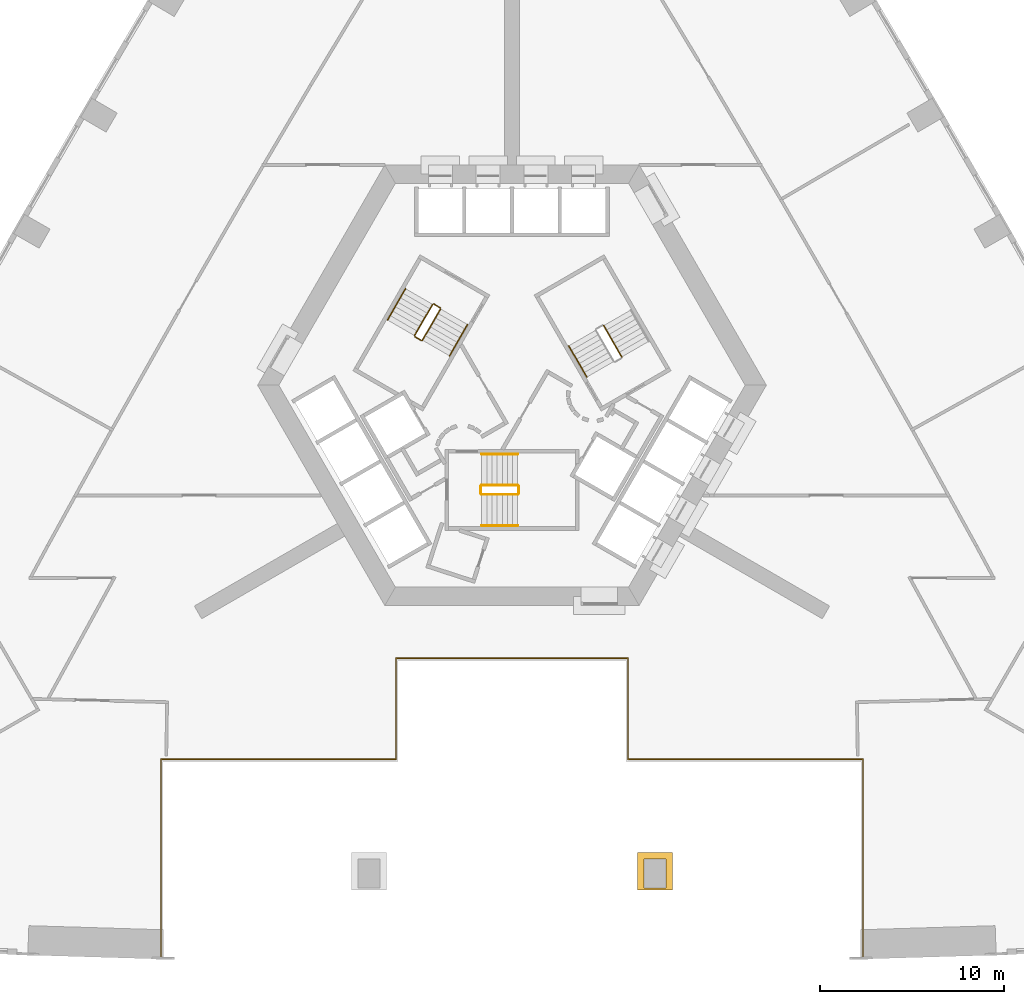
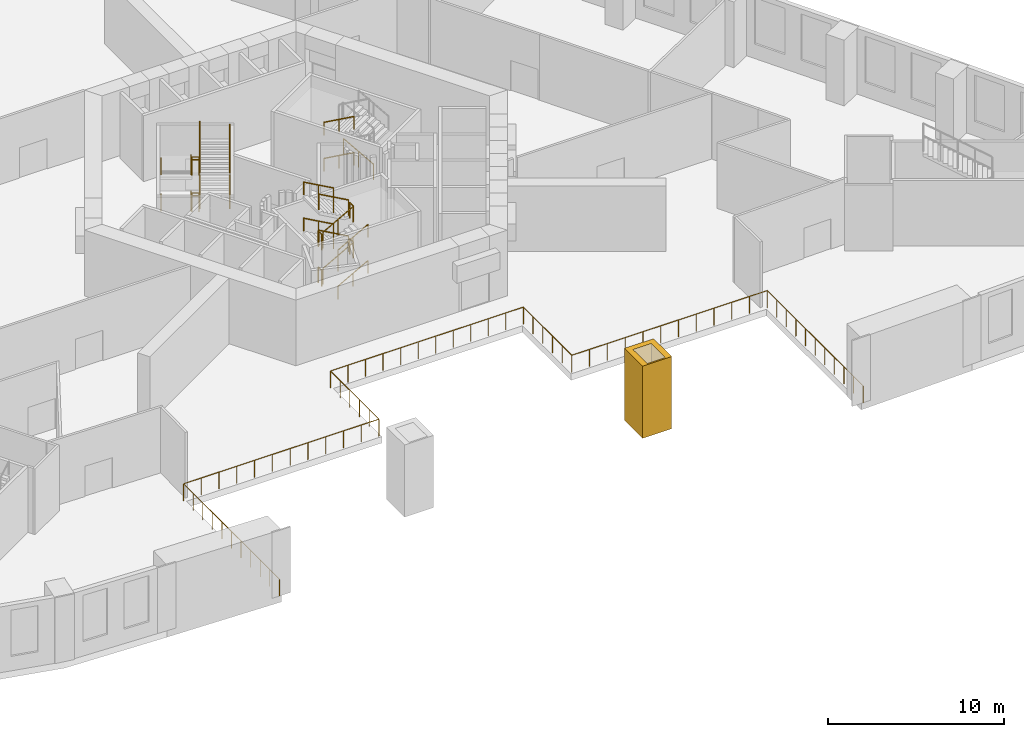
# One storey, part 13 of 16: 28 railings, 1 covering.
"""IFC4 building model written with IfcOpenShell, lengths in metres."""

from ifc_helpers import new_model, si_unit, direction, frame, origin, origin_2d, place, context, subcontext, project, spatial, polyline, circle, outline, extrude, material, type_object, element, save


model = new_model("IFC4")

# Units and contexts
model_context = context("Model", 3, precision=1e-05, world=origin(), true_north=direction((0.0, 1.0)))
body_context = subcontext(model_context, "Body", "Model", "MODEL_VIEW")
ifc_project = project(units=[si_unit("LENGTHUNIT", "METRE"), si_unit("AREAUNIT", "SQUARE_METRE"), si_unit("VOLUMEUNIT", "CUBIC_METRE"), si_unit("PLANEANGLEUNIT", "RADIAN"), si_unit("MASSUNIT", "GRAM", prefix="KILO")], contexts=[model_context])

# Site, building, storey
site_placement = place(None, origin())
site = spatial("IfcSite", under=ifc_project, at=site_placement, CompositionType="ELEMENT")
building_placement = place(site_placement, origin())
building = spatial("IfcBuilding", under=site, at=building_placement, Name="Entoto Arch Interchange Tower", CompositionType="ELEMENT")
storey_placement = place(building_placement, frame((0.0, 0.0, 25.0)))
storey = spatial("IfcBuildingStorey", under=building, at=storey_placement, Name="L04", CompositionType="ELEMENT", Elevation=25.0)

# Railing
ifc_material_1 = material(Name="Stainless steel 1.4301", Category="steel")
railing_type_1 = type_object("IfcRailingType", Name="ATRIUM GUARD 1200 STEEL AND GLASS", PredefinedType="GUARDRAIL", material=ifc_material_1)
railing_1_placement = place(storey_placement, frame((-19.1201171875, -28.758056640625, 0.0)))
element("IfcRailing", 1, at=railing_1_placement, inside=storey, type_object=railing_type_1, Name="Atrium guard L04", PredefinedType="GUARDRAIL", context=body_context, shape_type="SweptSolid", body=[
    extrude(circle(Radius=0.02392578125, at=origin_2d()), frame((0.0, 0.0, 1.17578125), z_axis=(0.0, 1.0, 0.0), x_axis=(-1.0, 0.0, 0.0)), (0.0, 0.0, 1.0), 10.878173828125),
    extrude(circle(Radius=0.02392578125, at=origin_2d()), frame((0.0, 10.878173828125, 1.17578125), z_axis=(1.0, 0.0, 0.0), x_axis=(0.0, 1.0, 0.0)), (0.0, 0.0, 1.0), 12.800048828125),
    extrude(circle(Radius=0.02392578125, at=origin_2d()), frame((12.800048828125, 10.878173828125, 1.17578125), z_axis=(0.0, 1.0, 0.0), x_axis=(-1.0, 0.0, 0.0)), (0.0, 0.0, 1.0), 5.5),
    extrude(circle(Radius=0.02392578125, at=origin_2d()), frame((12.800048828125, 16.378173828125, 1.17578125), z_axis=(1.0, 0.0, 0.0), x_axis=(0.0, 1.0, 0.0)), (0.0, 0.0, 1.0), 12.64013671875),
    extrude(circle(Radius=0.02392578125, at=origin_2d()), frame((25.440185546875, 16.378173828125, 1.17578125), z_axis=(0.0, -1.0, 0.0), x_axis=(1.0, 0.0, 0.0)), (0.0, 0.0, 1.0), 5.5),
    extrude(circle(Radius=0.02392578125, at=origin_2d()), frame((25.440185546875, 10.878173828125, 1.17578125), z_axis=(1.0, 0.0, 0.0), x_axis=(0.0, 1.0, 0.0)), (0.0, 0.0, 1.0), 12.800048828125),
    extrude(circle(Radius=0.02392578125, at=origin_2d()), frame((38.240234375, 10.878173828125, 1.17578125), z_axis=(0.0, -1.0, 0.0), x_axis=(1.0, 0.0, 0.0)), (0.0, 0.0, 1.0), 10.878173828125),
    extrude(circle(Radius=0.02099609375, at=origin_2d()), origin(), (0.0, 0.0, 1.0), 1.15185546875),
    extrude(circle(Radius=0.02099609375, at=origin_2d()), frame((0.0, 1.087890625, 0.0)), (0.0, 0.0, 1.0), 1.15185546875),
    extrude(circle(Radius=0.02099609375, at=origin_2d()), frame((0.0, 2.175537109375, 0.0)), (0.0, 0.0, 1.0), 1.15185546875),
    extrude(circle(Radius=0.02099609375, at=origin_2d()), frame((0.0, 3.263427734375, 0.0)), (0.0, 0.0, 1.0), 1.15185546875),
    extrude(circle(Radius=0.02099609375, at=origin_2d()), frame((0.0, 4.351318359375, 0.0)), (0.0, 0.0, 1.0), 1.15185546875),
    extrude(circle(Radius=0.02099609375, at=origin_2d()), frame((0.0, 5.43896484375, 0.0)), (0.0, 0.0, 1.0), 1.15185546875),
    extrude(circle(Radius=0.02099609375, at=origin_2d()), frame((0.0, 6.52685546875, 0.0)), (0.0, 0.0, 1.0), 1.15185546875),
    extrude(circle(Radius=0.02099609375, at=origin_2d()), frame((0.0, 7.61474609375, 0.0)), (0.0, 0.0, 1.0), 1.15185546875),
    extrude(circle(Radius=0.02099609375, at=origin_2d()), frame((0.0, 8.70263671875, 0.0)), (0.0, 0.0, 1.0), 1.15185546875),
    extrude(circle(Radius=0.02099609375, at=origin_2d()), frame((0.0, 9.790283203125, 0.0)), (0.0, 0.0, 1.0), 1.15185546875),
    extrude(circle(Radius=0.02099609375, at=origin_2d()), frame((0.0, 10.878173828125, 0.0)), (0.0, 0.0, 1.0), 1.15185546875),
    extrude(circle(Radius=0.02099609375, at=origin_2d()), frame((1.16357421875, 10.878173828125, 0.0)), (0.0, 0.0, 1.0), 1.15185546875),
    extrude(circle(Radius=0.02099609375, at=origin_2d()), frame((2.327392578125, 10.878173828125, 0.0)), (0.0, 0.0, 1.0), 1.15185546875),
    extrude(circle(Radius=0.02099609375, at=origin_2d()), frame((3.490966796875, 10.878173828125, 0.0)), (0.0, 0.0, 1.0), 1.15185546875),
    extrude(circle(Radius=0.02099609375, at=origin_2d()), frame((4.654541015625, 10.878173828125, 0.0)), (0.0, 0.0, 1.0), 1.15185546875),
    extrude(circle(Radius=0.02099609375, at=origin_2d()), frame((5.818115234375, 10.878173828125, 0.0)), (0.0, 0.0, 1.0), 1.15185546875),
    extrude(circle(Radius=0.02099609375, at=origin_2d()), frame((6.98193359375, 10.878173828125, 0.0)), (0.0, 0.0, 1.0), 1.15185546875),
    extrude(circle(Radius=0.02099609375, at=origin_2d()), frame((8.1455078125, 10.878173828125, 0.0)), (0.0, 0.0, 1.0), 1.15185546875),
    extrude(circle(Radius=0.02099609375, at=origin_2d()), frame((9.30908203125, 10.878173828125, 0.0)), (0.0, 0.0, 1.0), 1.15185546875),
    extrude(circle(Radius=0.02099609375, at=origin_2d()), frame((10.47265625, 10.878173828125, 0.0)), (0.0, 0.0, 1.0), 1.15185546875),
    extrude(circle(Radius=0.02099609375, at=origin_2d()), frame((11.636474609375, 10.878173828125, 0.0)), (0.0, 0.0, 1.0), 1.15185546875),
    extrude(circle(Radius=0.02099609375, at=origin_2d()), frame((12.800048828125, 10.878173828125, 0.0)), (0.0, 0.0, 1.0), 1.15185546875),
    extrude(circle(Radius=0.02099609375, at=origin_2d()), frame((12.800048828125, 11.978271484375, 0.0)), (0.0, 0.0, 1.0), 1.15185546875),
    extrude(circle(Radius=0.02099609375, at=origin_2d()), frame((12.800048828125, 13.078125, 0.0)), (0.0, 0.0, 1.0), 1.15185546875),
    extrude(circle(Radius=0.02099609375, at=origin_2d()), frame((12.800048828125, 14.17822265625, 0.0)), (0.0, 0.0, 1.0), 1.15185546875),
    extrude(circle(Radius=0.02099609375, at=origin_2d()), frame((12.800048828125, 15.278076171875, 0.0)), (0.0, 0.0, 1.0), 1.15185546875),
    extrude(circle(Radius=0.02099609375, at=origin_2d()), frame((12.800048828125, 16.378173828125, 0.0)), (0.0, 0.0, 1.0), 1.15185546875),
    extrude(circle(Radius=0.02099609375, at=origin_2d()), frame((13.94921875, 16.378173828125, 0.0)), (0.0, 0.0, 1.0), 1.15185546875),
    extrude(circle(Radius=0.02099609375, at=origin_2d()), frame((15.09814453125, 16.378173828125, 0.0)), (0.0, 0.0, 1.0), 1.15185546875),
    extrude(circle(Radius=0.02099609375, at=origin_2d()), frame((16.247314453125, 16.378173828125, 0.0)), (0.0, 0.0, 1.0), 1.15185546875),
    extrude(circle(Radius=0.02099609375, at=origin_2d()), frame((17.396484375, 16.378173828125, 0.0)), (0.0, 0.0, 1.0), 1.15185546875),
    extrude(circle(Radius=0.02099609375, at=origin_2d()), frame((18.545654296875, 16.378173828125, 0.0)), (0.0, 0.0, 1.0), 1.15185546875),
    extrude(circle(Radius=0.02099609375, at=origin_2d()), frame((19.694580078125, 16.378173828125, 0.0)), (0.0, 0.0, 1.0), 1.15185546875),
    extrude(circle(Radius=0.02099609375, at=origin_2d()), frame((20.84375, 16.378173828125, 0.0)), (0.0, 0.0, 1.0), 1.15185546875),
    extrude(circle(Radius=0.02099609375, at=origin_2d()), frame((21.992919921875, 16.378173828125, 0.0)), (0.0, 0.0, 1.0), 1.15185546875),
    extrude(circle(Radius=0.02099609375, at=origin_2d()), frame((23.14208984375, 16.378173828125, 0.0)), (0.0, 0.0, 1.0), 1.15185546875),
    extrude(circle(Radius=0.02099609375, at=origin_2d()), frame((24.291015625, 16.378173828125, 0.0)), (0.0, 0.0, 1.0), 1.15185546875),
    extrude(circle(Radius=0.02099609375, at=origin_2d()), frame((25.440185546875, 16.378173828125, 0.0)), (0.0, 0.0, 1.0), 1.15185546875),
    extrude(circle(Radius=0.02099609375, at=origin_2d()), frame((25.440185546875, 15.278076171875, 0.0)), (0.0, 0.0, 1.0), 1.15185546875),
    extrude(circle(Radius=0.02099609375, at=origin_2d()), frame((25.440185546875, 14.17822265625, 0.0)), (0.0, 0.0, 1.0), 1.15185546875),
    extrude(circle(Radius=0.02099609375, at=origin_2d()), frame((25.440185546875, 13.078125, 0.0)), (0.0, 0.0, 1.0), 1.15185546875),
    extrude(circle(Radius=0.02099609375, at=origin_2d()), frame((25.440185546875, 11.978271484375, 0.0)), (0.0, 0.0, 1.0), 1.15185546875),
    extrude(circle(Radius=0.02099609375, at=origin_2d()), frame((25.440185546875, 10.878173828125, 0.0)), (0.0, 0.0, 1.0), 1.15185546875),
    extrude(circle(Radius=0.02099609375, at=origin_2d()), frame((26.603759765625, 10.878173828125, 0.0)), (0.0, 0.0, 1.0), 1.15185546875),
    extrude(circle(Radius=0.02099609375, at=origin_2d()), frame((27.767578125, 10.878173828125, 0.0)), (0.0, 0.0, 1.0), 1.15185546875),
    extrude(circle(Radius=0.02099609375, at=origin_2d()), frame((28.93115234375, 10.878173828125, 0.0)), (0.0, 0.0, 1.0), 1.15185546875),
    extrude(circle(Radius=0.02099609375, at=origin_2d()), frame((30.0947265625, 10.878173828125, 0.0)), (0.0, 0.0, 1.0), 1.15185546875),
    extrude(circle(Radius=0.02099609375, at=origin_2d()), frame((31.25830078125, 10.878173828125, 0.0)), (0.0, 0.0, 1.0), 1.15185546875),
    extrude(circle(Radius=0.02099609375, at=origin_2d()), frame((32.422119140625, 10.878173828125, 0.0)), (0.0, 0.0, 1.0), 1.15185546875),
    extrude(circle(Radius=0.02099609375, at=origin_2d()), frame((33.585693359375, 10.878173828125, 0.0)), (0.0, 0.0, 1.0), 1.15185546875),
    extrude(circle(Radius=0.02099609375, at=origin_2d()), frame((34.749267578125, 10.878173828125, 0.0)), (0.0, 0.0, 1.0), 1.15185546875),
    extrude(circle(Radius=0.02099609375, at=origin_2d()), frame((35.912841796875, 10.878173828125, 0.0)), (0.0, 0.0, 1.0), 1.15185546875),
    extrude(circle(Radius=0.02099609375, at=origin_2d()), frame((37.07666015625, 10.878173828125, 0.0)), (0.0, 0.0, 1.0), 1.15185546875),
    extrude(circle(Radius=0.02099609375, at=origin_2d()), frame((38.240234375, 10.878173828125, 0.0)), (0.0, 0.0, 1.0), 1.15185546875),
    extrude(circle(Radius=0.02099609375, at=origin_2d()), frame((38.240234375, 9.790283203125, 0.0)), (0.0, 0.0, 1.0), 1.15185546875),
    extrude(circle(Radius=0.02099609375, at=origin_2d()), frame((38.240234375, 8.70263671875, 0.0)), (0.0, 0.0, 1.0), 1.15185546875),
    extrude(circle(Radius=0.02099609375, at=origin_2d()), frame((38.240234375, 7.61474609375, 0.0)), (0.0, 0.0, 1.0), 1.15185546875),
    extrude(circle(Radius=0.02099609375, at=origin_2d()), frame((38.240234375, 6.52685546875, 0.0)), (0.0, 0.0, 1.0), 1.15185546875),
    extrude(circle(Radius=0.02099609375, at=origin_2d()), frame((38.240234375, 5.43896484375, 0.0)), (0.0, 0.0, 1.0), 1.15185546875),
    extrude(circle(Radius=0.02099609375, at=origin_2d()), frame((38.240234375, 4.351318359375, 0.0)), (0.0, 0.0, 1.0), 1.15185546875),
    extrude(circle(Radius=0.02099609375, at=origin_2d()), frame((38.240234375, 3.263427734375, 0.0)), (0.0, 0.0, 1.0), 1.15185546875),
    extrude(circle(Radius=0.02099609375, at=origin_2d()), frame((38.240234375, 2.175537109375, 0.0)), (0.0, 0.0, 1.0), 1.15185546875),
    extrude(circle(Radius=0.02099609375, at=origin_2d()), frame((38.240234375, 1.087890625, 0.0)), (0.0, 0.0, 1.0), 1.15185546875),
    extrude(circle(Radius=0.02099609375, at=origin_2d()), frame((38.240234375, 0.0, 0.0)), (0.0, 0.0, 1.0), 1.15185546875),
])

# Covering
ifc_material_2 = material(Name="Board-marked precast concrete C50/60", Category="concrete")
covering_type = type_object("IfcCoveringType", Name="PRECAST FRAME COURSE", PredefinedType="CLADDING", material=ifc_material_2)
covering_placement = place(storey_placement, frame((0.0, 0.0, -0.449951171875)))
element("IfcCovering", 2, at=covering_placement, inside=storey, type_object=covering_type, Name="Gate pier L04", PredefinedType="CLADDING", context=body_context, shape_type="SweptSolid", body=[
    extrude(outline(polyline([(6.85009765625, -22.949951171875), (8.75, -22.949951171875), (8.75, -24.9990234375), (6.85009765625, -24.9990234375), (6.85009765625, -22.949951171875)]), holes=[polyline([(7.199951171875, -23.300048828125), (7.199951171875, -24.89990234375), (8.39990234375, -24.89990234375), (8.39990234375, -23.300048828125), (7.199951171875, -23.300048828125)])]), origin(), (0.0, 0.0, 1.0), 5.0),
])

# Railings
railing_type_2 = type_object("IfcRailingType", Name="STAIR GUARD 1100 STEEL", PredefinedType="GUARDRAIL", material=ifc_material_1)
railing_2_placement = place(storey_placement, frame((-1.64990234375, -3.449951171875, 0.15625)))
element("IfcRailing", 3, at=railing_2_placement, inside=storey, type_object=railing_type_2, Name="L04 ST-S stair guard 1", PredefinedType="GUARDRAIL", context=body_context, shape_type="SweptSolid", body=[
    extrude(circle(Radius=0.02392578125, at=origin_2d()), frame((0.0, 0.0, 1.076171875), z_axis=(0.873232148454, 0.0, 0.487304437602), x_axis=(0.0, 1.0, 0.0)), (0.0, 0.0, 1.0), 2.244384765625),
    extrude(circle(Radius=0.02099609375, at=origin_2d()), origin(), (0.0, 0.0, 1.0), 1.052001953125),
    extrude(circle(Radius=0.02099609375, at=origin_2d()), frame((0.97998046875, 0.0, 0.546875)), (0.0, 0.0, 1.0), 1.052001953125),
    extrude(circle(Radius=0.02099609375, at=origin_2d()), frame((1.9599609375, 0.0, 1.09375)), (0.0, 0.0, 1.0), 1.052001953125),
])
railing_3_placement = place(storey_placement, frame((0.360107421875, -3.39990234375, 1.25)))
element("IfcRailing", 4, at=railing_3_placement, inside=storey, type_object=railing_type_2, Name="L04 ST-S stair guard 2", PredefinedType="GUARDRAIL", context=body_context, shape_type="SweptSolid", body=[
    extrude(circle(Radius=0.02392578125, at=origin_2d()), frame((0.0, 0.0, 1.076171875), z_axis=(0.0, 1.0, 0.0), x_axis=(-1.0, 0.0, 0.0)), (0.0, 0.0, 1.0), 0.39990234375),
    extrude(circle(Radius=0.02099609375, at=origin_2d()), origin(), (0.0, 0.0, 1.0), 1.052001953125),
    extrude(circle(Radius=0.02099609375, at=origin_2d()), frame((0.0, 0.39990234375, 0.0)), (0.0, 0.0, 1.0), 1.052001953125),
])
railing_4_placement = place(storey_placement, frame((0.31005859375, -2.949951171875, 1.40625)))
element("IfcRailing", 5, at=railing_4_placement, inside=storey, type_object=railing_type_2, Name="L04 ST-S stair guard 3", PredefinedType="GUARDRAIL", context=body_context, shape_type="SweptSolid", body=[
    extrude(circle(Radius=0.02392578125, at=origin_2d()), frame((0.0, 0.0, 1.076171875), z_axis=(-0.873232148454, 0.0, 0.487304437602), x_axis=(0.0, -1.0, 0.0)), (0.0, 0.0, 1.0), 2.244384765625),
    extrude(circle(Radius=0.02099609375, at=origin_2d()), origin(), (0.0, 0.0, 1.0), 1.052001953125),
    extrude(circle(Radius=0.02099609375, at=origin_2d()), frame((-0.97998046875, 0.0, 0.546875)), (0.0, 0.0, 1.0), 1.052001953125),
    extrude(circle(Radius=0.02099609375, at=origin_2d()), frame((-1.9599609375, 0.0, 1.09375)), (0.0, 0.0, 1.0), 1.052001953125),
])
railing_5_placement = place(storey_placement, frame((-1.699951171875, -3.39990234375, 2.5)))
element("IfcRailing", 6, at=railing_5_placement, inside=storey, type_object=railing_type_2, Name="L04 ST-S stair guard 4", PredefinedType="GUARDRAIL", context=body_context, shape_type="SweptSolid", body=[
    extrude(circle(Radius=0.02392578125, at=origin_2d()), frame((0.0, 0.0, 1.076171875), z_axis=(0.0, 1.0, 0.0), x_axis=(-1.0, 0.0, 0.0)), (0.0, 0.0, 1.0), 0.39990234375),
    extrude(circle(Radius=0.02099609375, at=origin_2d()), origin(), (0.0, 0.0, 1.0), 1.052001953125),
    extrude(circle(Radius=0.02099609375, at=origin_2d()), frame((0.0, 0.39990234375, 0.0)), (0.0, 0.0, 1.0), 1.052001953125),
])
railing_6_placement = place(storey_placement, frame((-1.64990234375, -3.449951171875, 2.65625)))
element("IfcRailing", 7, at=railing_6_placement, inside=storey, type_object=railing_type_2, Name="L04 ST-S stair guard 5", PredefinedType="GUARDRAIL", context=body_context, shape_type="SweptSolid", body=[
    extrude(circle(Radius=0.02392578125, at=origin_2d()), frame((0.0, 0.0, 1.076171875), z_axis=(0.873232148454, 0.0, 0.487304437602), x_axis=(0.0, 1.0, 0.0)), (0.0, 0.0, 1.0), 2.244384765625),
    extrude(circle(Radius=0.02099609375, at=origin_2d()), origin(), (0.0, 0.0, 1.0), 1.052001953125),
    extrude(circle(Radius=0.02099609375, at=origin_2d()), frame((0.97998046875, 0.0, 0.546875)), (0.0, 0.0, 1.0), 1.052001953125),
    extrude(circle(Radius=0.02099609375, at=origin_2d()), frame((1.9599609375, 0.0, 1.09375)), (0.0, 0.0, 1.0), 1.052001953125),
])
railing_7_placement = place(storey_placement, frame((0.360107421875, -3.39990234375, 3.75)))
element("IfcRailing", 8, at=railing_7_placement, inside=storey, type_object=railing_type_2, Name="L04 ST-S stair guard 6", PredefinedType="GUARDRAIL", context=body_context, shape_type="SweptSolid", body=[
    extrude(circle(Radius=0.02392578125, at=origin_2d()), frame((0.0, 0.0, 1.076171875), z_axis=(0.0, 1.0, 0.0), x_axis=(-1.0, 0.0, 0.0)), (0.0, 0.0, 1.0), 0.39990234375),
    extrude(circle(Radius=0.02099609375, at=origin_2d()), origin(), (0.0, 0.0, 1.0), 1.052001953125),
    extrude(circle(Radius=0.02099609375, at=origin_2d()), frame((0.0, 0.39990234375, 0.0)), (0.0, 0.0, 1.0), 1.052001953125),
])
railing_8_placement = place(storey_placement, frame((0.31005859375, -2.949951171875, 3.90625)))
element("IfcRailing", 9, at=railing_8_placement, inside=storey, type_object=railing_type_2, Name="L04 ST-S stair guard 7", PredefinedType="GUARDRAIL", context=body_context, shape_type="SweptSolid", body=[
    extrude(circle(Radius=0.02392578125, at=origin_2d()), frame((0.0, 0.0, 1.076171875), z_axis=(-0.873232148454, 0.0, 0.487304437602), x_axis=(0.0, -1.0, 0.0)), (0.0, 0.0, 1.0), 2.244384765625),
    extrude(circle(Radius=0.02099609375, at=origin_2d()), origin(), (0.0, 0.0, 1.0), 1.052001953125),
    extrude(circle(Radius=0.02099609375, at=origin_2d()), frame((-0.97998046875, 0.0, 0.546875)), (0.0, 0.0, 1.0), 1.052001953125),
    extrude(circle(Radius=0.02099609375, at=origin_2d()), frame((-1.9599609375, 0.0, 1.09375)), (0.0, 0.0, 1.0), 1.052001953125),
])
railing_9_placement = place(storey_placement, frame((-1.699951171875, -3.39990234375, 0.0)))
element("IfcRailing", 10, at=railing_9_placement, inside=storey, type_object=railing_type_2, Name="L04 ST-S stair guard 8", PredefinedType="GUARDRAIL", context=body_context, shape_type="SweptSolid", body=[
    extrude(circle(Radius=0.02392578125, at=origin_2d()), frame((0.0, 0.0, 1.076171875), z_axis=(0.0, 1.0, 0.0), x_axis=(-1.0, 0.0, 0.0)), (0.0, 0.0, 1.0), 0.39990234375),
    extrude(circle(Radius=0.02099609375, at=origin_2d()), origin(), (0.0, 0.0, 1.0), 1.052001953125),
    extrude(circle(Radius=0.02099609375, at=origin_2d()), frame((0.0, 0.39990234375, 0.0)), (0.0, 0.0, 1.0), 1.052001953125),
])
railing_10_placement = place(storey_placement, frame((5.977783203125, 4.046142578125, 0.15625)))
element("IfcRailing", 11, at=railing_10_placement, inside=storey, type_object=railing_type_2, Name="L04 ST-NE stair guard 1", PredefinedType="GUARDRAIL", context=body_context, shape_type="SweptSolid", body=[
    extrude(circle(Radius=0.02392578125, at=origin_2d()), frame((0.0, 0.0, 1.076171875), z_axis=(-0.436632306331, 0.756220177781, 0.487322554151), x_axis=(-0.866011328839, -0.500024377727, 0.0)), (0.0, 0.0, 1.0), 2.244384765625),
    extrude(circle(Radius=0.02099609375, at=origin_2d()), origin(), (0.0, 0.0, 1.0), 1.052001953125),
    extrude(circle(Radius=0.02099609375, at=origin_2d()), frame((-0.489990234375, 0.8486328125, 0.546875)), (0.0, 0.0, 1.0), 1.052001953125),
    extrude(circle(Radius=0.02099609375, at=origin_2d()), frame((-0.97998046875, 1.697265625, 1.09375)), (0.0, 0.0, 1.0), 1.052001953125),
])
railing_11_placement = place(storey_placement, frame((-4.327880859375, 6.904052734375, 0.15625)))
element("IfcRailing", 12, at=railing_11_placement, inside=storey, type_object=railing_type_2, Name="L04 ST-NW stair guard 1", PredefinedType="GUARDRAIL", context=body_context, shape_type="SweptSolid", body=[
    extrude(circle(Radius=0.02392578125, at=origin_2d()), frame((0.0, 0.0, 1.076171875), z_axis=(-0.436596390967, -0.756266742998, 0.487282469241), x_axis=(0.866042469362, -0.499970440388, 0.0)), (0.0, 0.0, 1.0), 2.24462890625),
    extrude(circle(Radius=0.02099609375, at=origin_2d()), origin(), (0.0, 0.0, 1.0), 1.052001953125),
    extrude(circle(Radius=0.02099609375, at=origin_2d()), frame((-0.489990234375, -0.8486328125, 0.546875)), (0.0, 0.0, 1.0), 1.052001953125),
    extrude(circle(Radius=0.02099609375, at=origin_2d()), frame((-0.97998046875, -1.697509765625, 1.09375)), (0.0, 0.0, 1.0), 1.052001953125),
])
railing_12_placement = place(storey_placement, frame((-5.28955078125, 5.13818359375, 1.25)))
element("IfcRailing", 13, at=railing_12_placement, inside=storey, type_object=railing_type_2, Name="L04 ST-NW stair guard 2", PredefinedType="GUARDRAIL", context=body_context, shape_type="SweptSolid", body=[
    extrude(circle(Radius=0.02392578125, at=origin_2d()), frame((0.0, 0.0, 1.076171875), z_axis=(0.866094119867, -0.499880961361, 0.0), x_axis=(0.499880961361, 0.866094119867, 0.0)), (0.0, 0.0, 1.0), 0.39990234375),
    extrude(circle(Radius=0.02099609375, at=origin_2d()), origin(), (0.0, 0.0, 1.0), 1.052001953125),
    extrude(circle(Radius=0.02099609375, at=origin_2d()), frame((0.346435546875, -0.199951171875, 0.0)), (0.0, 0.0, 1.0), 1.052001953125),
])
railing_13_placement = place(storey_placement, frame((-4.874755859375, 4.95654296875, 1.40625)))
element("IfcRailing", 14, at=railing_13_placement, inside=storey, type_object=railing_type_2, Name="L04 ST-NW stair guard 3", PredefinedType="GUARDRAIL", context=body_context, shape_type="SweptSolid", body=[
    extrude(circle(Radius=0.02392578125, at=origin_2d()), frame((0.0, 0.0, 1.076171875), z_axis=(0.436596390967, 0.756266742998, 0.487282469241), x_axis=(-0.866042469362, 0.499970440388, 0.0)), (0.0, 0.0, 1.0), 2.24462890625),
    extrude(circle(Radius=0.02099609375, at=origin_2d()), origin(), (0.0, 0.0, 1.0), 1.052001953125),
    extrude(circle(Radius=0.02099609375, at=origin_2d()), frame((0.489990234375, 0.8486328125, 0.546875)), (0.0, 0.0, 1.0), 1.052001953125),
    extrude(circle(Radius=0.02099609375, at=origin_2d()), frame((0.97998046875, 1.697509765625, 1.09375)), (0.0, 0.0, 1.0), 1.052001953125),
])
railing_14_placement = place(storey_placement, frame((-4.259521484375, 6.92236328125, 2.5)))
element("IfcRailing", 15, at=railing_14_placement, inside=storey, type_object=railing_type_2, Name="L04 ST-NW stair guard 4", PredefinedType="GUARDRAIL", context=body_context, shape_type="SweptSolid", body=[
    extrude(circle(Radius=0.02392578125, at=origin_2d()), frame((0.0, 0.0, 1.076171875), z_axis=(0.865829829939, -0.500338590944, 0.0), x_axis=(0.500338590944, 0.865829829939, 0.0)), (0.0, 0.0, 1.0), 0.400146484375),
    extrude(circle(Radius=0.02099609375, at=origin_2d()), origin(), (0.0, 0.0, 1.0), 1.052001953125),
    extrude(circle(Radius=0.02099609375, at=origin_2d()), frame((0.346435546875, -0.2001953125, 0.0)), (0.0, 0.0, 1.0), 1.052001953125),
])
railing_15_placement = place(storey_placement, frame((-4.327880859375, 6.904052734375, 2.65625)))
element("IfcRailing", 16, at=railing_15_placement, inside=storey, type_object=railing_type_2, Name="L04 ST-NW stair guard 5", PredefinedType="GUARDRAIL", context=body_context, shape_type="SweptSolid", body=[
    extrude(circle(Radius=0.02392578125, at=origin_2d()), frame((0.0, 0.0, 1.076171875), z_axis=(-0.436596390967, -0.756266742998, 0.487282469241), x_axis=(0.866042469362, -0.499970440388, 0.0)), (0.0, 0.0, 1.0), 2.24462890625),
    extrude(circle(Radius=0.02099609375, at=origin_2d()), origin(), (0.0, 0.0, 1.0), 1.052001953125),
    extrude(circle(Radius=0.02099609375, at=origin_2d()), frame((-0.489990234375, -0.8486328125, 0.546875)), (0.0, 0.0, 1.0), 1.052001953125),
    extrude(circle(Radius=0.02099609375, at=origin_2d()), frame((-0.97998046875, -1.697509765625, 1.09375)), (0.0, 0.0, 1.0), 1.052001953125),
])
railing_16_placement = place(storey_placement, frame((-5.28955078125, 5.13818359375, 3.75)))
element("IfcRailing", 17, at=railing_16_placement, inside=storey, type_object=railing_type_2, Name="L04 ST-NW stair guard 6", PredefinedType="GUARDRAIL", context=body_context, shape_type="SweptSolid", body=[
    extrude(circle(Radius=0.02392578125, at=origin_2d()), frame((0.0, 0.0, 1.076171875), z_axis=(0.866094119867, -0.499880961361, 0.0), x_axis=(0.499880961361, 0.866094119867, 0.0)), (0.0, 0.0, 1.0), 0.39990234375),
    extrude(circle(Radius=0.02099609375, at=origin_2d()), origin(), (0.0, 0.0, 1.0), 1.052001953125),
    extrude(circle(Radius=0.02099609375, at=origin_2d()), frame((0.346435546875, -0.199951171875, 0.0)), (0.0, 0.0, 1.0), 1.052001953125),
])
railing_17_placement = place(storey_placement, frame((-4.874755859375, 4.95654296875, 3.90625)))
element("IfcRailing", 18, at=railing_17_placement, inside=storey, type_object=railing_type_2, Name="L04 ST-NW stair guard 7", PredefinedType="GUARDRAIL", context=body_context, shape_type="SweptSolid", body=[
    extrude(circle(Radius=0.02392578125, at=origin_2d()), frame((0.0, 0.0, 1.076171875), z_axis=(0.436596390967, 0.756266742998, 0.487282469241), x_axis=(-0.866042469362, 0.499970440388, 0.0)), (0.0, 0.0, 1.0), 2.24462890625),
    extrude(circle(Radius=0.02099609375, at=origin_2d()), origin(), (0.0, 0.0, 1.0), 1.052001953125),
    extrude(circle(Radius=0.02099609375, at=origin_2d()), frame((0.489990234375, 0.8486328125, 0.546875)), (0.0, 0.0, 1.0), 1.052001953125),
    extrude(circle(Radius=0.02099609375, at=origin_2d()), frame((0.97998046875, 1.697509765625, 1.09375)), (0.0, 0.0, 1.0), 1.052001953125),
])
railing_18_placement = place(storey_placement, frame((-4.259521484375, 6.92236328125, 0.0)))
element("IfcRailing", 19, at=railing_18_placement, inside=storey, type_object=railing_type_2, Name="L04 ST-NW stair guard 8", PredefinedType="GUARDRAIL", context=body_context, shape_type="SweptSolid", body=[
    extrude(circle(Radius=0.02392578125, at=origin_2d()), frame((0.0, 0.0, 1.076171875), z_axis=(0.865829829939, -0.500338590944, 0.0), x_axis=(0.500338590944, 0.865829829939, 0.0)), (0.0, 0.0, 1.0), 0.400146484375),
    extrude(circle(Radius=0.02099609375, at=origin_2d()), origin(), (0.0, 0.0, 1.0), 1.052001953125),
    extrude(circle(Radius=0.02099609375, at=origin_2d()), frame((0.346435546875, -0.2001953125, 0.0)), (0.0, 0.0, 1.0), 1.052001953125),
])
railing_type_3 = type_object("IfcRailingType", Name="STAIR HANDRAIL 900 STEEL", PredefinedType="HANDRAIL", material=ifc_material_1)
railing_19_placement = place(storey_placement, frame((-1.64990234375, -5.14990234375, 0.15625)))
element("IfcRailing", 20, at=railing_19_placement, inside=storey, type_object=railing_type_3, Name="L04 ST-S stair handrail 1", PredefinedType="HANDRAIL", context=body_context, shape_type="SweptSolid", body=[
    extrude(circle(Radius=0.02392578125, at=origin_2d()), frame((0.0, 0.0, 0.8759765625), z_axis=(0.873232148454, 0.0, 0.487304437602), x_axis=(0.0, 1.0, 0.0)), (0.0, 0.0, 1.0), 2.244384765625),
    extrude(circle(Radius=0.02099609375, at=origin_2d()), origin(), (0.0, 0.0, 1.0), 0.851806640625),
    extrude(circle(Radius=0.02099609375, at=origin_2d()), frame((0.97998046875, 0.0, 0.546875)), (0.0, 0.0, 1.0), 0.851806640625),
    extrude(circle(Radius=0.02099609375, at=origin_2d()), frame((1.9599609375, 0.0, 1.09375)), (0.0, 0.0, 1.0), 0.851806640625),
])
railing_20_placement = place(storey_placement, frame((0.31005859375, -1.25, 1.40625)))
element("IfcRailing", 21, at=railing_20_placement, inside=storey, type_object=railing_type_3, Name="L04 ST-S stair handrail 2", PredefinedType="HANDRAIL", context=body_context, shape_type="SweptSolid", body=[
    extrude(circle(Radius=0.02392578125, at=origin_2d()), frame((0.0, 0.0, 0.8759765625), z_axis=(-0.873232148454, 0.0, 0.487304437602), x_axis=(0.0, -1.0, 0.0)), (0.0, 0.0, 1.0), 2.244384765625),
    extrude(circle(Radius=0.02099609375, at=origin_2d()), origin(), (0.0, 0.0, 1.0), 0.851806640625),
    extrude(circle(Radius=0.02099609375, at=origin_2d()), frame((-0.97998046875, 0.0, 0.546875)), (0.0, 0.0, 1.0), 0.851806640625),
    extrude(circle(Radius=0.02099609375, at=origin_2d()), frame((-1.9599609375, 0.0, 1.09375)), (0.0, 0.0, 1.0), 0.851806640625),
])
railing_21_placement = place(storey_placement, frame((-1.64990234375, -5.14990234375, 2.65625)))
element("IfcRailing", 22, at=railing_21_placement, inside=storey, type_object=railing_type_3, Name="L04 ST-S stair handrail 3", PredefinedType="HANDRAIL", context=body_context, shape_type="SweptSolid", body=[
    extrude(circle(Radius=0.02392578125, at=origin_2d()), frame((0.0, 0.0, 0.8759765625), z_axis=(0.873232148454, 0.0, 0.487304437602), x_axis=(0.0, 1.0, 0.0)), (0.0, 0.0, 1.0), 2.244384765625),
    extrude(circle(Radius=0.02099609375, at=origin_2d()), origin(), (0.0, 0.0, 1.0), 0.851806640625),
    extrude(circle(Radius=0.02099609375, at=origin_2d()), frame((0.97998046875, 0.0, 0.546875)), (0.0, 0.0, 1.0), 0.851806640625),
    extrude(circle(Radius=0.02099609375, at=origin_2d()), frame((1.9599609375, 0.0, 1.09375)), (0.0, 0.0, 1.0), 0.851806640625),
])
railing_22_placement = place(storey_placement, frame((0.31005859375, -1.25, 3.90625)))
element("IfcRailing", 23, at=railing_22_placement, inside=storey, type_object=railing_type_3, Name="L04 ST-S stair handrail 4", PredefinedType="HANDRAIL", context=body_context, shape_type="SweptSolid", body=[
    extrude(circle(Radius=0.02392578125, at=origin_2d()), frame((0.0, 0.0, 0.8759765625), z_axis=(-0.873232148454, 0.0, 0.487304437602), x_axis=(0.0, -1.0, 0.0)), (0.0, 0.0, 1.0), 2.244384765625),
    extrude(circle(Radius=0.02099609375, at=origin_2d()), origin(), (0.0, 0.0, 1.0), 0.851806640625),
    extrude(circle(Radius=0.02099609375, at=origin_2d()), frame((-0.97998046875, 0.0, 0.546875)), (0.0, 0.0, 1.0), 0.851806640625),
    extrude(circle(Radius=0.02099609375, at=origin_2d()), frame((-1.9599609375, 0.0, 1.09375)), (0.0, 0.0, 1.0), 0.851806640625),
])
for number, where, name in (
    (24, (3.092529296875, 4.6435546875, 1.40625), "L04 ST-NE stair handrail 2"),
    (25, (3.092529296875, 4.6435546875, 3.90625), "L04 ST-NE stair handrail 4"),
):
    element("IfcRailing", number, at=place(storey_placement, frame(where)), inside=storey, type_object=railing_type_3, Name=name, PredefinedType="HANDRAIL", context=body_context, shape_type="SweptSolid", body=[
        extrude(circle(Radius=0.02392578125, at=origin_2d()), frame((0.0, 0.0, 0.8759765625), z_axis=(0.436596390967, -0.756266742998, 0.487282469241), x_axis=(0.866042469362, 0.499970440388, 0.0)), (0.0, 0.0, 1.0), 2.24462890625),
        extrude(circle(Radius=0.02099609375, at=origin_2d()), origin(), (0.0, 0.0, 1.0), 0.851806640625),
        extrude(circle(Radius=0.02099609375, at=origin_2d()), frame((0.489990234375, -0.8486328125, 0.546875)), (0.0, 0.0, 1.0), 0.851806640625),
        extrude(circle(Radius=0.02099609375, at=origin_2d()), frame((0.97998046875, -1.697509765625, 1.09375)), (0.0, 0.0, 1.0), 0.851806640625),
    ])
railing_23_placement = place(storey_placement, frame((-5.800048828125, 7.75390625, 0.15625)))
element("IfcRailing", 26, at=railing_23_placement, inside=storey, type_object=railing_type_3, Name="L04 ST-NW stair handrail 1", PredefinedType="HANDRAIL", context=body_context, shape_type="SweptSolid", body=[
    extrude(circle(Radius=0.02392578125, at=origin_2d()), frame((0.0, 0.0, 0.8759765625), z_axis=(-0.436632306331, -0.756220177781, 0.487322554151), x_axis=(0.866011328839, -0.500024377727, 0.0)), (0.0, 0.0, 1.0), 2.244384765625),
    extrude(circle(Radius=0.02099609375, at=origin_2d()), origin(), (0.0, 0.0, 1.0), 0.851806640625),
    extrude(circle(Radius=0.02099609375, at=origin_2d()), frame((-0.489990234375, -0.8486328125, 0.546875)), (0.0, 0.0, 1.0), 0.851806640625),
    extrude(circle(Radius=0.02099609375, at=origin_2d()), frame((-0.97998046875, -1.697265625, 1.09375)), (0.0, 0.0, 1.0), 0.851806640625),
])
railing_24_placement = place(storey_placement, frame((-3.402587890625, 4.1064453125, 1.40625)))
element("IfcRailing", 27, at=railing_24_placement, inside=storey, type_object=railing_type_3, Name="L04 ST-NW stair handrail 2", PredefinedType="HANDRAIL", context=body_context, shape_type="SweptSolid", body=[
    extrude(circle(Radius=0.02392578125, at=origin_2d()), frame((0.0, 0.0, 0.8759765625), z_axis=(0.436596390967, 0.756266742998, 0.487282469241), x_axis=(-0.866042469362, 0.499970440388, 0.0)), (0.0, 0.0, 1.0), 2.24462890625),
    extrude(circle(Radius=0.02099609375, at=origin_2d()), origin(), (0.0, 0.0, 1.0), 0.851806640625),
    extrude(circle(Radius=0.02099609375, at=origin_2d()), frame((0.489990234375, 0.8486328125, 0.546875)), (0.0, 0.0, 1.0), 0.851806640625),
    extrude(circle(Radius=0.02099609375, at=origin_2d()), frame((0.97998046875, 1.697509765625, 1.09375)), (0.0, 0.0, 1.0), 0.851806640625),
])
railing_25_placement = place(storey_placement, frame((-5.800048828125, 7.75390625, 2.65625)))
element("IfcRailing", 28, at=railing_25_placement, inside=storey, type_object=railing_type_3, Name="L04 ST-NW stair handrail 3", PredefinedType="HANDRAIL", context=body_context, shape_type="SweptSolid", body=[
    extrude(circle(Radius=0.02392578125, at=origin_2d()), frame((0.0, 0.0, 0.8759765625), z_axis=(-0.436632306331, -0.756220177781, 0.487322554151), x_axis=(0.866011328839, -0.500024377727, 0.0)), (0.0, 0.0, 1.0), 2.244384765625),
    extrude(circle(Radius=0.02099609375, at=origin_2d()), origin(), (0.0, 0.0, 1.0), 0.851806640625),
    extrude(circle(Radius=0.02099609375, at=origin_2d()), frame((-0.489990234375, -0.8486328125, 0.546875)), (0.0, 0.0, 1.0), 0.851806640625),
    extrude(circle(Radius=0.02099609375, at=origin_2d()), frame((-0.97998046875, -1.697265625, 1.09375)), (0.0, 0.0, 1.0), 0.851806640625),
])
railing_26_placement = place(storey_placement, frame((-3.402587890625, 4.1064453125, 3.90625)))
element("IfcRailing", 29, at=railing_26_placement, inside=storey, type_object=railing_type_3, Name="L04 ST-NW stair handrail 4", PredefinedType="HANDRAIL", context=body_context, shape_type="SweptSolid", body=[
    extrude(circle(Radius=0.02392578125, at=origin_2d()), frame((0.0, 0.0, 0.8759765625), z_axis=(0.436596390967, 0.756266742998, 0.487282469241), x_axis=(-0.866042469362, 0.499970440388, 0.0)), (0.0, 0.0, 1.0), 2.24462890625),
    extrude(circle(Radius=0.02099609375, at=origin_2d()), origin(), (0.0, 0.0, 1.0), 0.851806640625),
    extrude(circle(Radius=0.02099609375, at=origin_2d()), frame((0.489990234375, 0.8486328125, 0.546875)), (0.0, 0.0, 1.0), 0.851806640625),
    extrude(circle(Radius=0.02099609375, at=origin_2d()), frame((0.97998046875, 1.697509765625, 1.09375)), (0.0, 0.0, 1.0), 0.851806640625),
])

save(model, "model.ifc")
